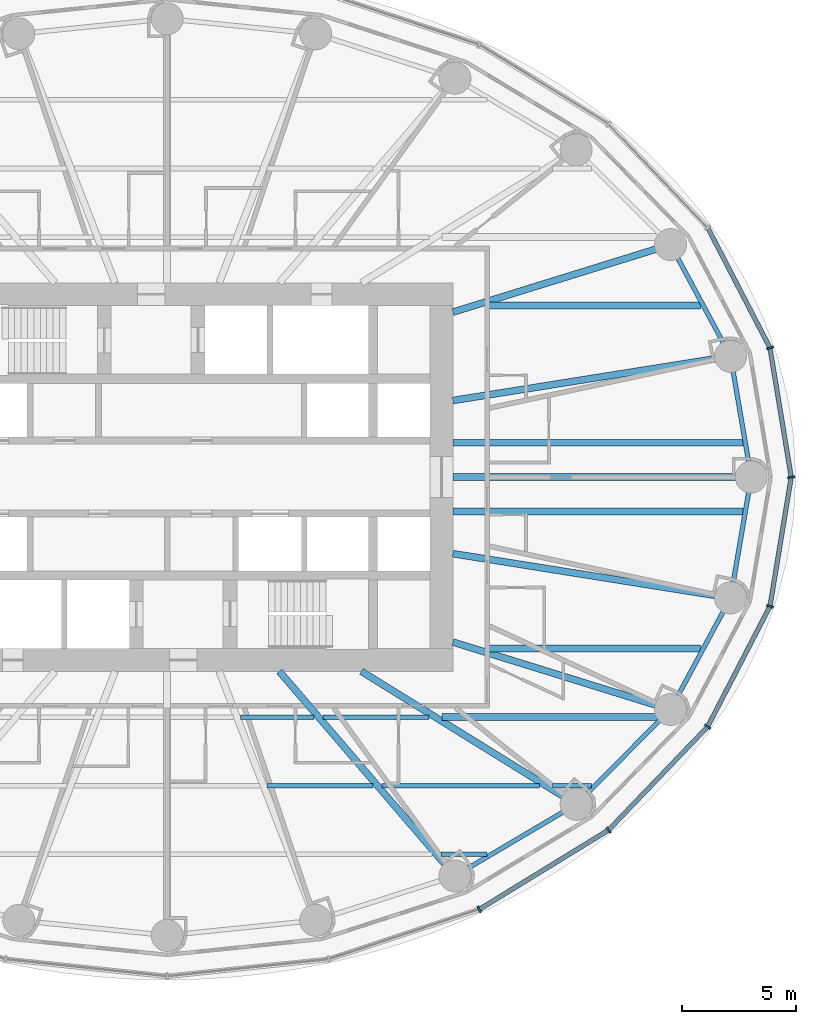
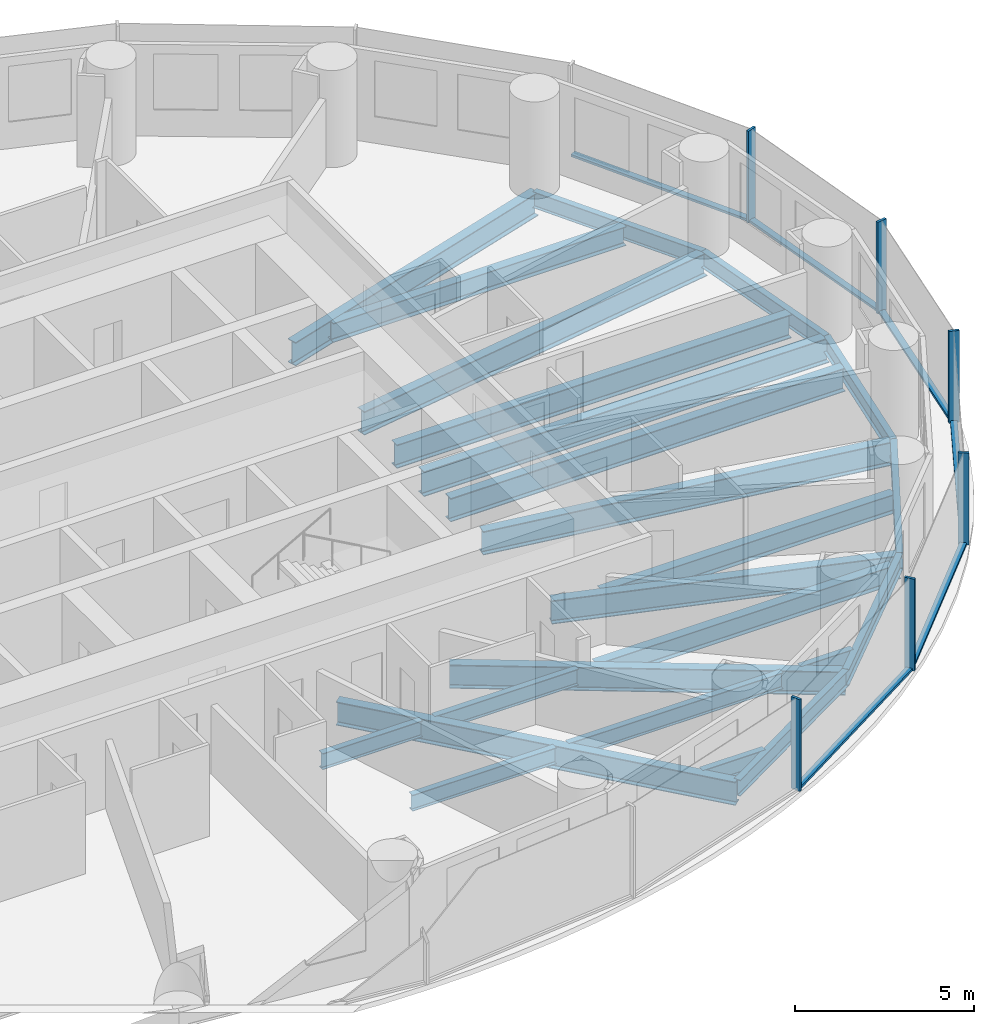
# One storey, part 3 of 14: 24 beams, 12 members, 2 elements without a shape of their own.
"""IFC4 building model written with IfcOpenShell, lengths in metres."""

from ifc_helpers import new_model, si_unit, direction, frame, origin, origin_2d, place, context, subcontext, project, spatial, rectangle, i_section, extrude, material, material_profile, profile_set, type_object, element, aggregate, save


model = new_model("IFC4")

# Units and contexts
model_context = context("Model", 3, precision=1e-05, world=origin(), true_north=direction((0.0, 1.0)))
body_context = subcontext(model_context, "Body", "Model", "MODEL_VIEW")
ifc_project = project(units=[si_unit("LENGTHUNIT", "METRE"), si_unit("AREAUNIT", "SQUARE_METRE"), si_unit("VOLUMEUNIT", "CUBIC_METRE"), si_unit("PLANEANGLEUNIT", "RADIAN"), si_unit("MASSUNIT", "GRAM", prefix="KILO")], contexts=[model_context])

# Site, building, storey
site_placement = place(None, origin())
site = spatial("IfcSite", under=ifc_project, at=site_placement, CompositionType="ELEMENT")
building_placement = place(site_placement, origin())
building = spatial("IfcBuilding", under=site, at=building_placement, Name="Hankou Lantern Tower", CompositionType="ELEMENT")
storey_placement = place(building_placement, frame((0.0, 0.0, 63.89990234375)))
storey = spatial("IfcBuildingStorey", under=building, at=storey_placement, Name="L15", CompositionType="ELEMENT", Elevation=63.89990234375)

# Beams
ifc_material_1 = material(Name="Steel Q355B", Category="steel")
ifc_material_profile_1 = material_profile(ifc_material_1, i_section(OverallWidth=0.199951171875, OverallDepth=0.550048828125, WebThickness=0.010009765625, FlangeThickness=0.01611328125, FilletRadius=0.012939453125, at=origin_2d()), Name="HN550x200x10x16")
ifc_profile_set_1 = profile_set([ifc_material_profile_1], Name="Steel Q355B")
beam_type_1 = type_object("IfcBeamType", Name="EB6 RING BEAM HN550x200x10x16", PredefinedType="SPANDREL", material=ifc_profile_set_1)
beam_1_placement = place(storey_placement, frame((25.550048828125, 0.0, -0.454833984375), z_axis=(-0.168489691988, 0.985703415685, 0.0), x_axis=(-0.985703415685, -0.168489691988, 0.0)))
element("IfcBeam", 1, at=beam_1_placement, inside=storey, type_object=beam_type_1, Name="Ring beam R01-R02 L15", PredefinedType="SPANDREL", context=body_context, shape_type="SweptSolid", body=[
    extrude(i_section(OverallWidth=0.199951171875, OverallDepth=0.550048828125, WebThickness=0.010009765625, FlangeThickness=0.01611328125, FilletRadius=0.012939453125, at=origin_2d()), origin(), (0.0, 0.0, 1.0), 5.35986328125),
])
beam_2_placement = place(storey_placement, frame((24.64697265625, 5.283203125, -0.454833984375), z_axis=(-0.473609096023, 0.880735161194, 0.0), x_axis=(-0.880735161194, -0.473609096023, 0.0)))
element("IfcBeam", 2, at=beam_2_placement, inside=storey, type_object=beam_type_1, Name="Ring beam R02-R03 L15", PredefinedType="SPANDREL", context=body_context, shape_type="SweptSolid", body=[
    extrude(i_section(OverallWidth=0.199951171875, OverallDepth=0.550048828125, WebThickness=0.010009765625, FlangeThickness=0.01611328125, FilletRadius=0.012939453125, at=origin_2d()), origin(), (0.0, 0.0, 1.0), 5.548828125),
])
beam_3_placement = place(storey_placement, frame((12.5908203125, -17.446533203125, -0.454833984375), z_axis=(0.860881533543, 0.508805449268, 0.0), x_axis=(-0.508805449268, 0.860881533543, 0.0)))
element("IfcBeam", 3, at=beam_3_placement, inside=storey, type_object=beam_type_1, Name="Ring beam R21-R22 L15", PredefinedType="SPANDREL", context=body_context, shape_type="SweptSolid", body=[
    extrude(i_section(OverallWidth=0.199951171875, OverallDepth=0.550048828125, WebThickness=0.010009765625, FlangeThickness=0.01611328125, FilletRadius=0.012939453125, at=origin_2d()), origin(), (0.0, 0.0, 1.0), 6.15771484375),
])
beam_4_placement = place(storey_placement, frame((17.891845703125, -14.3134765625, -0.454833984375), z_axis=(0.705727798394, 0.708483079949, 0.0), x_axis=(-0.708483079949, 0.705727798394, 0.0)))
element("IfcBeam", 4, at=beam_4_placement, inside=storey, type_object=beam_type_1, Name="Ring beam R22-R23 L15", PredefinedType="SPANDREL", context=body_context, shape_type="SweptSolid", body=[
    extrude(i_section(OverallWidth=0.199951171875, OverallDepth=0.550048828125, WebThickness=0.010009765625, FlangeThickness=0.01611328125, FilletRadius=0.012939453125, at=origin_2d()), origin(), (0.0, 0.0, 1.0), 5.84814453125),
])
beam_5_placement = place(storey_placement, frame((22.01904296875, -10.170166015625, -0.454833984375), z_axis=(0.473609096023, 0.880735161194, 0.0), x_axis=(-0.880735161194, 0.473609096023, 0.0)))
element("IfcBeam", 5, at=beam_5_placement, inside=storey, type_object=beam_type_1, Name="Ring beam R23-R24 L15", PredefinedType="SPANDREL", context=body_context, shape_type="SweptSolid", body=[
    extrude(i_section(OverallWidth=0.199951171875, OverallDepth=0.550048828125, WebThickness=0.010009765625, FlangeThickness=0.01611328125, FilletRadius=0.012939453125, at=origin_2d()), origin(), (0.0, 0.0, 1.0), 5.548828125),
])
beam_6_placement = place(storey_placement, frame((24.64697265625, -5.283203125, -0.454833984375), z_axis=(0.168489691988, 0.985703415685, 0.0), x_axis=(-0.985703415685, 0.168489691988, 0.0)))
element("IfcBeam", 6, at=beam_6_placement, inside=storey, type_object=beam_type_1, Name="Ring beam R24-R01 L15", PredefinedType="SPANDREL", context=body_context, shape_type="SweptSolid", body=[
    extrude(i_section(OverallWidth=0.199951171875, OverallDepth=0.550048828125, WebThickness=0.010009765625, FlangeThickness=0.01611328125, FilletRadius=0.012939453125, at=origin_2d()), origin(), (0.0, 0.0, 1.0), 5.35986328125),
])

# Curtain wall, members
ifc_material_2 = material(Name="Glass, dark grey tinted laminated", Category="glass")
curtain_wall_type = type_object("IfcCurtainWallType", Name="CWA OUTER SKIN LOW-RISE", PredefinedType="USERDEFINED", material=ifc_material_2)
curtain_wall_1_placement = place(storey_placement, origin())
curtain_wall_1 = element("IfcCurtainWall", 7, at=curtain_wall_1_placement, inside=storey, type_object=curtain_wall_type, Name="CWA L15 OS1", ObjectType="OUTER SKIN LOW-RISE", PredefinedType="USERDEFINED")
ifc_material_3 = material(Name="Aluminium, black anodised", Category="aluminium")
ifc_material_profile_2 = material_profile(ifc_material_3, rectangle(XDim=0.080078125, YDim=0.300048828125, at=origin_2d()), Name="MU1 80X300")
ifc_profile_set_2 = profile_set([ifc_material_profile_2], Name="Aluminium, black anodised")
member_type_1 = type_object("IfcMemberType", Name="MU1 OUTER SKIN MULLION 80X300", PredefinedType="MULLION", material=ifc_profile_set_2)
member_1_placement = place(storey_placement, frame((27.300048828125, 0.0, 0.0), z_axis=(0.0, 0.0, 1.0), x_axis=(-0.162381515188, 0.986728049427, 0.0)))
member_1 = element("IfcMember", 8, at=member_1_placement, type_object=member_type_1, Name="CWA mullion 1", PredefinedType="MULLION", context=body_context, shape_type="SweptSolid", body=[
    extrude(rectangle(XDim=0.080078125, YDim=0.300048828125, at=origin_2d()), origin(), (0.0, 0.0, 1.0), 3.1201171875),
])
member_2_placement = place(storey_placement, frame((26.369873046875, 5.652587890625, 0.0), z_axis=(0.0, 0.0, 1.0), x_axis=(-0.317595577365, 0.94822626479, 0.0)))
member_2 = element("IfcMember", 9, at=member_2_placement, type_object=member_type_1, Name="CWA mullion 2", PredefinedType="MULLION", context=body_context, shape_type="SweptSolid", body=[
    extrude(rectangle(XDim=0.080078125, YDim=0.300048828125, at=origin_2d()), origin(), (0.0, 0.0, 1.0), 3.1201171875),
])

curtain_wall_2_placement = place(storey_placement, origin())
curtain_wall_2 = element("IfcCurtainWall", 10, at=curtain_wall_2_placement, inside=storey, type_object=curtain_wall_type, Name="CWA L15 OS4", ObjectType="OUTER SKIN LOW-RISE", PredefinedType="USERDEFINED")
member_3_placement = place(storey_placement, frame((13.64990234375, -18.9140625, 0.0), z_axis=(0.0, 0.0, 1.0), x_axis=(0.907841299004, 0.419313934686, 0.0)))
member_3 = element("IfcMember", 11, at=member_3_placement, type_object=member_type_1, Name="CWA mullion 3", PredefinedType="MULLION", context=body_context, shape_type="SweptSolid", body=[
    extrude(rectangle(XDim=0.080078125, YDim=0.300048828125, at=origin_2d()), origin(), (0.0, 0.0, 1.0), 3.1201171875),
])
member_4_placement = place(storey_placement, frame((19.303955078125, -15.443115234375, 0.0), z_axis=(0.0, 0.0, 1.0), x_axis=(0.780868809444, 0.624695047553, 0.0)))
member_4 = element("IfcMember", 12, at=member_4_placement, type_object=member_type_1, Name="CWA mullion 4", PredefinedType="MULLION", context=body_context, shape_type="SweptSolid", body=[
    extrude(rectangle(XDim=0.080078125, YDim=0.300048828125, at=origin_2d()), origin(), (0.0, 0.0, 1.0), 3.1201171875),
])
member_5_placement = place(storey_placement, frame((23.642578125, -10.919921875, 0.0), z_axis=(0.0, 0.0, 1.0), x_axis=(0.585205735974, 0.810884854084, 0.0)))
member_5 = element("IfcMember", 13, at=member_5_placement, type_object=member_type_1, Name="CWA mullion 5", PredefinedType="MULLION", context=body_context, shape_type="SweptSolid", body=[
    extrude(rectangle(XDim=0.080078125, YDim=0.300048828125, at=origin_2d()), origin(), (0.0, 0.0, 1.0), 3.1201171875),
])
member_6_placement = place(storey_placement, frame((26.369873046875, -5.652587890625, 0.0), z_axis=(0.0, 0.0, 1.0), x_axis=(0.317595577365, 0.94822626479, 0.0)))
member_6 = element("IfcMember", 14, at=member_6_placement, type_object=member_type_1, Name="CWA mullion 6", PredefinedType="MULLION", context=body_context, shape_type="SweptSolid", body=[
    extrude(rectangle(XDim=0.080078125, YDim=0.300048828125, at=origin_2d()), origin(), (0.0, 0.0, 1.0), 3.1201171875),
])

# Beams
ifc_material_4 = material(Name="Steel Q355B", Category="steel")
ifc_material_profile_3 = material_profile(ifc_material_4, i_section(OverallWidth=0.300048828125, OverallDepth=0.800048828125, WebThickness=0.013916015625, FlangeThickness=0.02587890625, FilletRadius=0.01806640625, at=origin_2d()), Name="HN800x300x14x26")
ifc_profile_set_3 = profile_set([ifc_material_profile_3], Name="Steel Q355B")
beam_type_2 = type_object("IfcBeamType", Name="RB11 RADIAL BEAM HN800x300x14x26", PredefinedType="BEAM", material=ifc_profile_set_3)
beam_7_placement = place(storey_placement, frame((12.5, 3.349365234375, -0.579833984375), z_axis=(0.987563081343, 0.157223281893, 0.0), x_axis=(-0.157223281893, 0.987563081343, 0.0)))
element("IfcBeam", 15, at=beam_7_placement, inside=storey, type_object=beam_type_2, Name="Radial beam R02 L15", PredefinedType="BEAM", context=body_context, shape_type="SweptSolid", body=[
    extrude(i_section(OverallWidth=0.300048828125, OverallDepth=0.800048828125, WebThickness=0.013916015625, FlangeThickness=0.02587890625, FilletRadius=0.01806640625, at=origin_2d()), origin(), (0.0, 0.0, 1.0), 12.300048828125),
])
beam_8_placement = place(storey_placement, frame((12.5, 7.216796875, -0.579833984375), z_axis=(0.955087327755, 0.29632447817, 0.0), x_axis=(-0.29632447817, 0.955087327755, 0.0)))
element("IfcBeam", 16, at=beam_8_placement, inside=storey, type_object=beam_type_2, Name="Radial beam R03 L15", PredefinedType="BEAM", context=body_context, shape_type="SweptSolid", body=[
    extrude(i_section(OverallWidth=0.300048828125, OverallDepth=0.800048828125, WebThickness=0.013916015625, FlangeThickness=0.02587890625, FilletRadius=0.01806640625, at=origin_2d()), origin(), (0.0, 0.0, 1.0), 9.966552734375),
])
beam_9_placement = place(storey_placement, frame((4.907470703125, -8.5, -0.579833984375), z_axis=(0.651519061225, -0.758632264579, 0.0), x_axis=(0.758632264579, 0.651519061225, 0.0)))
element("IfcBeam", 17, at=beam_9_placement, inside=storey, type_object=beam_type_2, Name="Radial beam R21 L15", PredefinedType="BEAM", context=body_context, shape_type="SweptSolid", body=[
    extrude(i_section(OverallWidth=0.300048828125, OverallDepth=0.800048828125, WebThickness=0.013916015625, FlangeThickness=0.02587890625, FilletRadius=0.01806640625, at=origin_2d()), origin(), (0.0, 0.0, 1.0), 11.79296875),
])
beam_10_placement = place(storey_placement, frame((8.5, -8.5, -0.579833984375), z_axis=(0.850286343288, -0.526320372414, 0.0), x_axis=(0.526320372414, 0.850286343288, 0.0)))
element("IfcBeam", 18, at=beam_10_placement, inside=storey, type_object=beam_type_2, Name="Radial beam R22 L15", PredefinedType="BEAM", context=body_context, shape_type="SweptSolid", body=[
    extrude(i_section(OverallWidth=0.300048828125, OverallDepth=0.800048828125, WebThickness=0.013916015625, FlangeThickness=0.02587890625, FilletRadius=0.01806640625, at=origin_2d()), origin(), (0.0, 0.0, 1.0), 11.04541015625),
])
beam_11_placement = place(storey_placement, frame((12.5, -7.216796875, -0.579833984375), z_axis=(0.955087327755, -0.29632447817, 0.0), x_axis=(0.29632447817, 0.955087327755, 0.0)))
element("IfcBeam", 19, at=beam_11_placement, inside=storey, type_object=beam_type_2, Name="Radial beam R23 L15", PredefinedType="BEAM", context=body_context, shape_type="SweptSolid", body=[
    extrude(i_section(OverallWidth=0.300048828125, OverallDepth=0.800048828125, WebThickness=0.013916015625, FlangeThickness=0.02587890625, FilletRadius=0.01806640625, at=origin_2d()), origin(), (0.0, 0.0, 1.0), 9.966552734375),
])
beam_12_placement = place(storey_placement, frame((12.5, -3.349365234375, -0.579833984375), z_axis=(0.987563081343, -0.157223281893, 0.0), x_axis=(0.157223281893, 0.987563081343, 0.0)))
element("IfcBeam", 20, at=beam_12_placement, inside=storey, type_object=beam_type_2, Name="Radial beam R24 L15", PredefinedType="BEAM", context=body_context, shape_type="SweptSolid", body=[
    extrude(i_section(OverallWidth=0.300048828125, OverallDepth=0.800048828125, WebThickness=0.013916015625, FlangeThickness=0.02587890625, FilletRadius=0.01806640625, at=origin_2d()), origin(), (0.0, 0.0, 1.0), 12.300048828125),
])
ifc_material_5 = material(Name="Steel Q355B", Category="steel")
ifc_material_profile_4 = material_profile(ifc_material_5, i_section(OverallWidth=0.300048828125, OverallDepth=0.85009765625, WebThickness=0.01611328125, FlangeThickness=0.027099609375, FilletRadius=0.01806640625, at=origin_2d()), Name="HN850x300x16x27")
ifc_profile_set_4 = profile_set([ifc_material_profile_4], Name="Steel Q355B")
beam_type_3 = type_object("IfcBeamType", Name="RB12 RADIAL BEAM HN850x300x16x27", PredefinedType="BEAM", material=ifc_profile_set_4)
beam_13_placement = place(storey_placement, frame((12.5, 0.0, -0.60498046875), z_axis=(1.0, 0.0, 0.0), x_axis=(0.0, 1.0, 0.0)))
element("IfcBeam", 21, at=beam_13_placement, inside=storey, type_object=beam_type_3, Name="Radial beam R01 L15", PredefinedType="BEAM", context=body_context, shape_type="SweptSolid", body=[
    extrude(i_section(OverallWidth=0.300048828125, OverallDepth=0.85009765625, WebThickness=0.01611328125, FlangeThickness=0.027099609375, FilletRadius=0.01806640625, at=origin_2d()), origin(), (0.0, 0.0, 1.0), 13.050048828125),
])
ifc_material_6 = material(Name="Steel Q355B", Category="steel")
ifc_material_profile_5 = material_profile(ifc_material_6, i_section(OverallWidth=0.300048828125, OverallDepth=0.800048828125, WebThickness=0.013916015625, FlangeThickness=0.02587890625, FilletRadius=0.01806640625, at=origin_2d()), Name="HN800x300x14x26")
ifc_profile_set_5 = profile_set([ifc_material_profile_5], Name="Steel Q355B")
beam_type_4 = type_object("IfcBeamType", Name="SB11 SECONDARY BEAM HN800x300x14x26", PredefinedType="JOIST", material=ifc_profile_set_5)
for number, where, z_axis, x_axis, name in (
    (22, (12.5, -1.5, -0.579833984375), (1.0, 0.0, 0.0), (0.0, 1.0, 0.0), "Floor joist J030 L15"),
    (23, (12.5, 1.5, -0.579833984375), (1.0, 0.0, 0.0), (0.0, 1.0, 0.0), "Floor joist J032 L15"),
):
    element("IfcBeam", number, at=place(storey_placement, frame(where, z_axis=z_axis, x_axis=x_axis)), inside=storey, type_object=beam_type_4, Name=name, PredefinedType="JOIST", context=body_context, shape_type="SweptSolid", body=[
        extrude(i_section(OverallWidth=0.300048828125, OverallDepth=0.800048828125, WebThickness=0.013916015625, FlangeThickness=0.02587890625, FilletRadius=0.01806640625, at=origin_2d()), origin(), (0.0, 0.0, 1.0), 12.692138671875),
    ])
ifc_material_7 = material(Name="Steel Q355B", Category="steel")
ifc_material_profile_6 = material_profile(ifc_material_7, i_section(OverallWidth=0.199951171875, OverallDepth=0.550048828125, WebThickness=0.010009765625, FlangeThickness=0.01611328125, FilletRadius=0.012939453125, at=origin_2d()), Name="HN550x200x10x16")
ifc_profile_set_6 = profile_set([ifc_material_profile_6], Name="Steel Q355B")
beam_type_5 = type_object("IfcBeamType", Name="SB6 SECONDARY BEAM HN550x200x10x16", PredefinedType="JOIST", material=ifc_profile_set_6)
beam_14_placement = place(storey_placement, frame((11.975830078125, -16.5, -0.454833984375), z_axis=(1.0, 0.0, 0.0), x_axis=(0.0, 1.0, 0.0)))
element("IfcBeam", 24, at=beam_14_placement, inside=storey, type_object=beam_type_5, Name="Floor joist J006 L15", PredefinedType="JOIST", context=body_context, shape_type="SweptSolid", body=[
    extrude(i_section(OverallWidth=0.199951171875, OverallDepth=0.550048828125, WebThickness=0.010009765625, FlangeThickness=0.01611328125, FilletRadius=0.012939453125, at=origin_2d()), origin(), (0.0, 0.0, 1.0), 2.019775390625),
])
beam_15_placement = place(storey_placement, frame((4.37451171875, -13.5, -0.454833984375), z_axis=(1.0, 0.0, 0.0), x_axis=(0.0, 1.0, 0.0)))
element("IfcBeam", 25, at=beam_15_placement, inside=storey, type_object=beam_type_5, Name="Floor joist J012 L15", PredefinedType="JOIST", context=body_context, shape_type="SweptSolid", body=[
    extrude(i_section(OverallWidth=0.199951171875, OverallDepth=0.550048828125, WebThickness=0.010009765625, FlangeThickness=0.01611328125, FilletRadius=0.012939453125, at=origin_2d()), origin(), (0.0, 0.0, 1.0), 4.62939453125),
])
beam_16_placement = place(storey_placement, frame((9.3994140625, -13.5, -0.454833984375), z_axis=(1.0, 0.0, 0.0), x_axis=(0.0, 1.0, 0.0)))
element("IfcBeam", 26, at=beam_16_placement, inside=storey, type_object=beam_type_5, Name="Floor joist J013 L15", PredefinedType="JOIST", context=body_context, shape_type="SweptSolid", body=[
    extrude(i_section(OverallWidth=0.199951171875, OverallDepth=0.550048828125, WebThickness=0.010009765625, FlangeThickness=0.01611328125, FilletRadius=0.012939453125, at=origin_2d()), origin(), (0.0, 0.0, 1.0), 6.893310546875),
])
beam_17_placement = place(storey_placement, frame((16.86279296875, -13.5, -0.454833984375), z_axis=(1.0, 0.0, 0.0), x_axis=(0.0, 1.0, 0.0)))
element("IfcBeam", 27, at=beam_17_placement, inside=storey, type_object=beam_type_5, Name="Floor joist J014 L15", PredefinedType="JOIST", context=body_context, shape_type="SweptSolid", body=[
    extrude(i_section(OverallWidth=0.199951171875, OverallDepth=0.550048828125, WebThickness=0.010009765625, FlangeThickness=0.01611328125, FilletRadius=0.012939453125, at=origin_2d()), origin(), (0.0, 0.0, 1.0), 1.697998046875),
])
beam_18_placement = place(storey_placement, frame((3.212890625, -10.5, -0.454833984375), z_axis=(1.0, 0.0, 0.0), x_axis=(0.0, 1.0, 0.0)))
element("IfcBeam", 28, at=beam_18_placement, inside=storey, type_object=beam_type_5, Name="Floor joist J020 L15", PredefinedType="JOIST", context=body_context, shape_type="SweptSolid", body=[
    extrude(i_section(OverallWidth=0.199951171875, OverallDepth=0.550048828125, WebThickness=0.010009765625, FlangeThickness=0.01611328125, FilletRadius=0.012939453125, at=origin_2d()), origin(), (0.0, 0.0, 1.0), 3.214599609375),
])
beam_19_placement = place(storey_placement, frame((6.82275390625, -10.5, -0.454833984375), z_axis=(1.0, 0.0, 0.0), x_axis=(0.0, 1.0, 0.0)))
element("IfcBeam", 29, at=beam_19_placement, inside=storey, type_object=beam_type_5, Name="Floor joist J021 L15", PredefinedType="JOIST", context=body_context, shape_type="SweptSolid", body=[
    extrude(i_section(OverallWidth=0.199951171875, OverallDepth=0.550048828125, WebThickness=0.010009765625, FlangeThickness=0.01611328125, FilletRadius=0.012939453125, at=origin_2d()), origin(), (0.0, 0.0, 1.0), 4.623291015625),
])
ifc_material_8 = material(Name="Steel Q355B", Category="steel")
ifc_material_profile_7 = material_profile(ifc_material_8, i_section(OverallWidth=0.300048828125, OverallDepth=0.64990234375, WebThickness=0.010986328125, FlangeThickness=0.01708984375, FilletRadius=0.01806640625, at=origin_2d()), Name="HN650x300x11x17")
ifc_profile_set_7 = profile_set([ifc_material_profile_7], Name="Steel Q355B")
beam_type_6 = type_object("IfcBeamType", Name="SB8 SECONDARY BEAM HN650x300x11x17", PredefinedType="JOIST", material=ifc_profile_set_7)
beam_20_placement = place(storey_placement, frame((12.01611328125, -10.5, -0.5048828125), z_axis=(1.0, 0.0, 0.0), x_axis=(0.0, 1.0, 0.0)))
element("IfcBeam", 30, at=beam_20_placement, inside=storey, type_object=beam_type_6, Name="Floor joist J022 L15", PredefinedType="JOIST", context=body_context, shape_type="SweptSolid", body=[
    extrude(i_section(OverallWidth=0.300048828125, OverallDepth=0.64990234375, WebThickness=0.010986328125, FlangeThickness=0.01708984375, FilletRadius=0.01806640625, at=origin_2d()), origin(), (0.0, 0.0, 1.0), 9.533203125),
])
for number, where, z_axis, x_axis, name in (
    (31, (13.918701171875, -7.5, -0.5048828125), (1.0, 0.0, 0.0), (0.0, 1.0, 0.0), "Floor joist J024 L15"),
    (32, (13.918701171875, 7.5, -0.5048828125), (1.0, 0.0, 0.0), (0.0, 1.0, 0.0), "Floor joist J038 L15"),
):
    element("IfcBeam", number, at=place(storey_placement, frame(where, z_axis=z_axis, x_axis=x_axis)), inside=storey, type_object=beam_type_6, Name=name, PredefinedType="JOIST", context=body_context, shape_type="SweptSolid", body=[
        extrude(i_section(OverallWidth=0.300048828125, OverallDepth=0.64990234375, WebThickness=0.010986328125, FlangeThickness=0.01708984375, FilletRadius=0.01806640625, at=origin_2d()), origin(), (0.0, 0.0, 1.0), 9.4228515625),
    ])

# Member
ifc_material_9 = material(Name="Aluminium, black anodised", Category="aluminium")
ifc_material_profile_8 = material_profile(ifc_material_9, rectangle(XDim=0.199951171875, YDim=0.080078125, at=origin_2d()), Name="TR1 200X80")
ifc_profile_set_8 = profile_set([ifc_material_profile_8], Name="Aluminium, black anodised")
member_type_2 = type_object("IfcMemberType", Name="TR1 OUTER SKIN TRANSOM 200X80", PredefinedType="USERDEFINED", material=ifc_profile_set_8)
member_7_placement = place(storey_placement, frame((27.29345703125, 0.03955078125, 0.0400390625), z_axis=(-0.162387045529, 0.986727139307, 0.0), x_axis=(-0.986727139307, -0.162387045529, 0.0)))
member_7 = element("IfcMember", 33, at=member_7_placement, type_object=member_type_2, Name="CWA transom 1", ObjectType="TRANSOM", PredefinedType="USERDEFINED", context=body_context, shape_type="SweptSolid", body=[
    extrude(rectangle(XDim=0.199951171875, YDim=0.080078125, at=origin_2d()), origin(), (0.0, 0.0, 1.0), 5.6484375),
])

member_8_placement = place(storey_placement, frame((26.351318359375, 5.688232421875, 0.0400390625), z_axis=(-0.459786096495, 0.888029698529, 0.0), x_axis=(-0.888029698529, -0.459786096495, 0.0)))
member_8 = element("IfcMember", 34, at=member_8_placement, type_object=member_type_2, Name="CWA transom 2", ObjectType="TRANSOM", PredefinedType="USERDEFINED", context=body_context, shape_type="SweptSolid", body=[
    extrude(rectangle(XDim=0.199951171875, YDim=0.080078125, at=origin_2d()), origin(), (0.0, 0.0, 1.0), 5.8515625),
])

aggregate(curtain_wall_1, [member_1, member_2, member_7, member_8])

member_9_placement = place(storey_placement, frame((13.68408203125, -18.89306640625, 0.0400390625), z_axis=(0.85223969557, 0.523151508929, 0.0), x_axis=(-0.523151508929, 0.85223969557, 0.0)))
member_9 = element("IfcMember", 35, at=member_9_placement, type_object=member_type_2, Name="CWA transom 3", ObjectType="TRANSOM", PredefinedType="USERDEFINED", context=body_context, shape_type="SweptSolid", body=[
    extrude(rectangle(XDim=0.199951171875, YDim=0.080078125, at=origin_2d()), origin(), (0.0, 0.0, 1.0), 6.554443359375),
])

member_10_placement = place(storey_placement, frame((19.331787109375, -15.414306640625, 0.0400390625), z_axis=(0.692215537374, 0.721690827029, 0.0), x_axis=(-0.721690827029, 0.692215537374, 0.0)))
member_10 = element("IfcMember", 36, at=member_10_placement, type_object=member_type_2, Name="CWA transom 4", ObjectType="TRANSOM", PredefinedType="USERDEFINED", context=body_context, shape_type="SweptSolid", body=[
    extrude(rectangle(XDim=0.199951171875, YDim=0.080078125, at=origin_2d()), origin(), (0.0, 0.0, 1.0), 6.187255859375),
])

member_11_placement = place(storey_placement, frame((23.660888671875, -10.884521484375, 0.0400390625), z_axis=(0.459786096495, 0.888029698529, 0.0), x_axis=(-0.888029698529, 0.459786096495, 0.0)))
member_11 = element("IfcMember", 37, at=member_11_placement, type_object=member_type_2, Name="CWA transom 5", ObjectType="TRANSOM", PredefinedType="USERDEFINED", context=body_context, shape_type="SweptSolid", body=[
    extrude(rectangle(XDim=0.199951171875, YDim=0.080078125, at=origin_2d()), origin(), (0.0, 0.0, 1.0), 5.8515625),
])

member_12_placement = place(storey_placement, frame((26.376220703125, -5.613037109375, 0.0400390625), z_axis=(0.162387045529, 0.986727139307, 0.0), x_axis=(-0.986727139307, 0.162387045529, 0.0)))
member_12 = element("IfcMember", 38, at=member_12_placement, type_object=member_type_2, Name="CWA transom 6", ObjectType="TRANSOM", PredefinedType="USERDEFINED", context=body_context, shape_type="SweptSolid", body=[
    extrude(rectangle(XDim=0.199951171875, YDim=0.080078125, at=origin_2d()), origin(), (0.0, 0.0, 1.0), 5.6484375),
])

aggregate(curtain_wall_2, [member_3, member_4, member_5, member_6, member_9, member_10, member_11, member_12])

save(model, "model.ifc")
